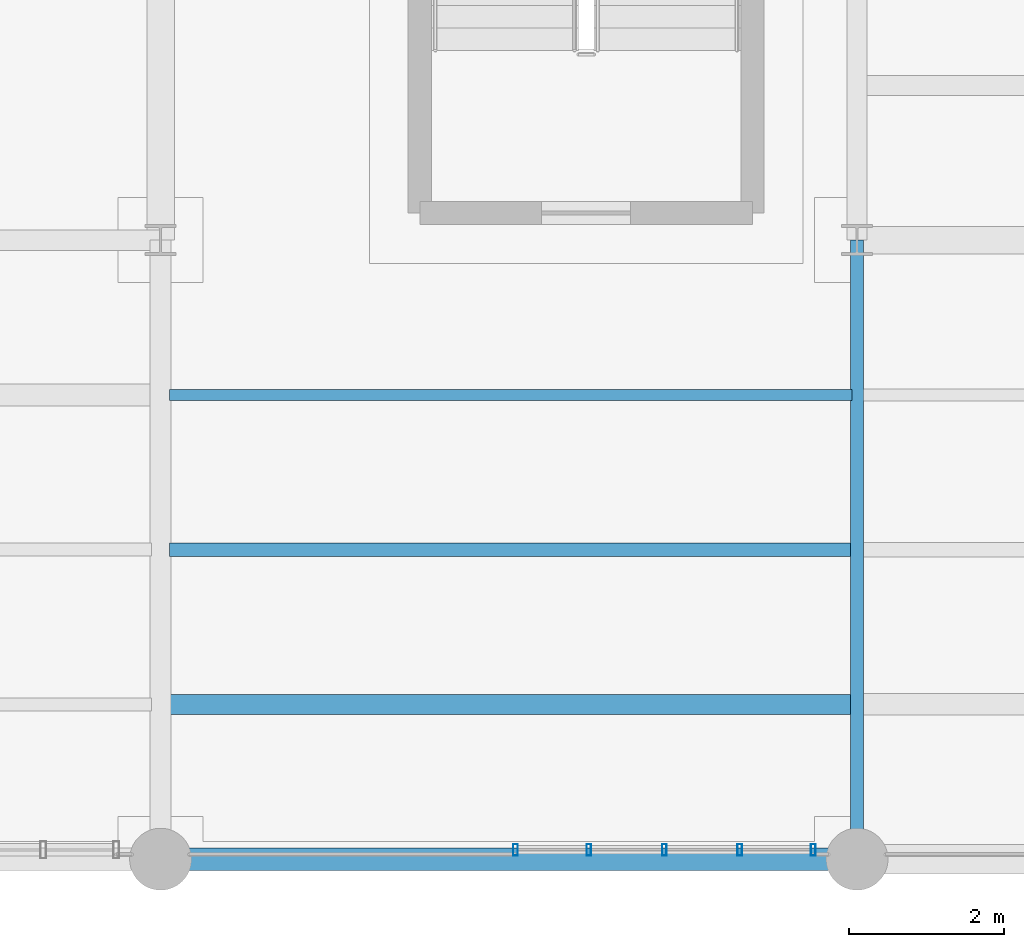
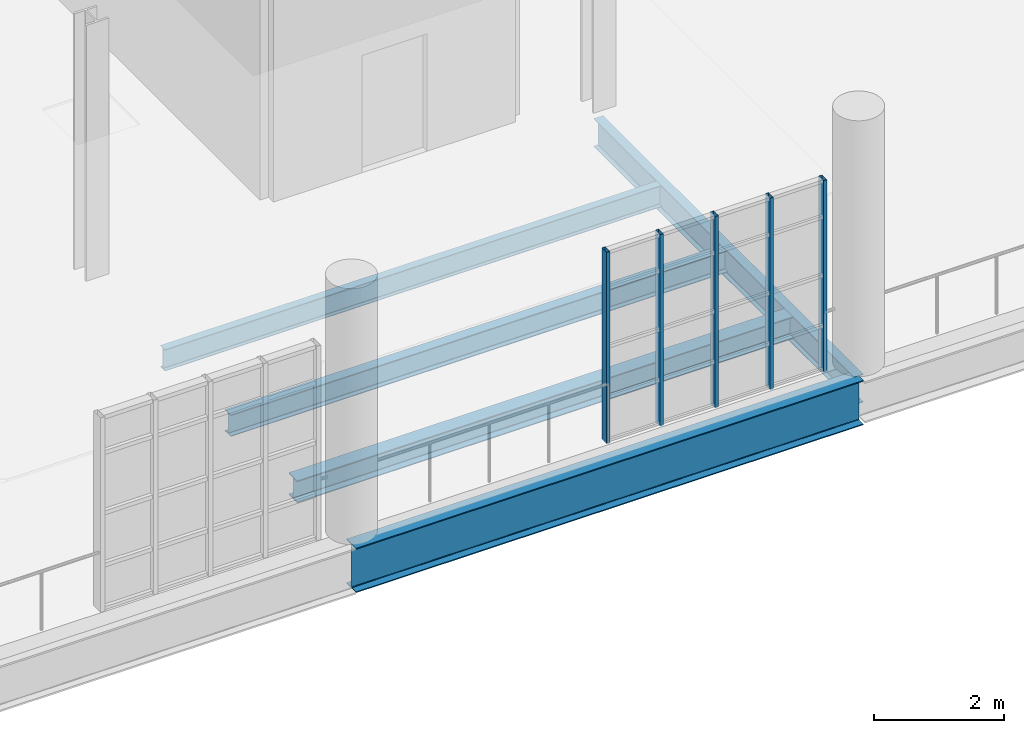
# One storey, part 25 of 122: 5 beams, 5 members, 1 element without a shape of its own.
"""IFC4 building model written with IfcOpenShell, lengths in metres."""

from ifc_helpers import new_model, si_unit, direction, frame, origin, origin_2d, place, context, subcontext, project, spatial, hollow_rectangle, i_section, extrude, material, layer, layer_set, material_profile, profile_set, type_object, element, aggregate, save


model = new_model("IFC4")

# Units and contexts
model_context = context("Model", 3, precision=1e-05, world=origin(), true_north=direction((0.0, 1.0)))
body_context = subcontext(model_context, "Body", "Model", "MODEL_VIEW")
ifc_project = project(units=[si_unit("LENGTHUNIT", "METRE"), si_unit("AREAUNIT", "SQUARE_METRE"), si_unit("VOLUMEUNIT", "CUBIC_METRE"), si_unit("PLANEANGLEUNIT", "RADIAN"), si_unit("MASSUNIT", "GRAM", prefix="KILO"), si_unit("THERMODYNAMICTEMPERATUREUNIT", "KELVIN"), si_unit("POWERUNIT", "WATT")], contexts=[model_context])

# Site, building, storey
site_placement = place(None, origin())
site = spatial("IfcSite", under=ifc_project, at=site_placement, CompositionType="ELEMENT")
building_placement = place(site_placement, origin())
building = spatial("IfcBuilding", under=site, at=building_placement, Name="Zelmaris Science Centre", CompositionType="ELEMENT")
storey_placement = place(building_placement, frame((0.0, 0.0, 10.800048828125)))
storey = spatial("IfcBuildingStorey", under=building, at=storey_placement, Name="L02", CompositionType="ELEMENT", Elevation=10.800048828125)

# Curtain wall, members
ifc_material_1 = material(Name="Anodised architectural aluminium 6063-T6", Category="aluminium")
ifc_layer = layer(ifc_material_1, 0.219970703125, Name="Anodised architectural aluminium 6063-T6")
ifc_layer_set = layer_set([ifc_layer], Name="Anodised architectural aluminium 6063-T6")
curtain_wall_type = type_object("IfcCurtainWallType", Name="Curtain Wall CW-04", PredefinedType="USERDEFINED", material=ifc_layer_set)
curtain_wall_placement = place(storey_placement, origin())
curtain_wall = element("IfcCurtainWall", 1, at=curtain_wall_placement, inside=storey, type_object=curtain_wall_type, Name="L02 Unitised curtain wall 240", ObjectType="GLAZED CURTAIN WALL", PredefinedType="USERDEFINED")
ifc_material_profile_1 = material_profile(ifc_material_1, hollow_rectangle(XDim=0.06005859375, YDim=0.14990234375, WallThickness=0.00341796875, at=origin_2d()), Name="ALU-MUL-60X150")
ifc_profile_set_1 = profile_set([ifc_material_profile_1], Name="Anodised architectural aluminium 6063-T6")
member_type = type_object("IfcMemberType", Name="ALU-MUL-60X150", PredefinedType="MULLION", material=ifc_profile_set_1)
member_1_placement = place(storey_placement, frame((125.43408203125, 8.1201171875, -0.01513671875), z_axis=(0.0, 0.0, 1.0), x_axis=(-1.0, 0.0, 0.0)))
member_1 = element("IfcMember", 2, at=member_1_placement, type_object=member_type, Name="CW-04 mullion 1", PredefinedType="MULLION", context=body_context, shape_type="SweptSolid", body=[
    extrude(hollow_rectangle(XDim=0.06005859375, YDim=0.14990234375, WallThickness=0.00341796875, at=origin_2d()), origin(), (0.0, 0.0, 1.0), 3.593017578125),
])
member_2_placement = place(storey_placement, frame((124.485107421875, 8.1201171875, -0.01513671875), z_axis=(0.0, 0.0, 1.0), x_axis=(-1.0, 0.0, 0.0)))
member_2 = element("IfcMember", 3, at=member_2_placement, type_object=member_type, Name="CW-04 mullion 2", PredefinedType="MULLION", context=body_context, shape_type="SweptSolid", body=[
    extrude(hollow_rectangle(XDim=0.06005859375, YDim=0.14990234375, WallThickness=0.00341796875, at=origin_2d()), origin(), (0.0, 0.0, 1.0), 3.593017578125),
])
member_3_placement = place(storey_placement, frame((123.510009765625, 8.1201171875, -0.01513671875), z_axis=(0.0, 0.0, 1.0), x_axis=(-1.0, 0.0, 0.0)))
member_3 = element("IfcMember", 4, at=member_3_placement, type_object=member_type, Name="CW-04 mullion 3", PredefinedType="MULLION", context=body_context, shape_type="SweptSolid", body=[
    extrude(hollow_rectangle(XDim=0.06005859375, YDim=0.14990234375, WallThickness=0.00341796875, at=origin_2d()), origin(), (0.0, 0.0, 1.0), 3.593017578125),
])
member_4_placement = place(storey_placement, frame((122.534912109375, 8.1201171875, -0.01513671875), z_axis=(0.0, 0.0, 1.0), x_axis=(-1.0, 0.0, 0.0)))
member_4 = element("IfcMember", 5, at=member_4_placement, type_object=member_type, Name="CW-04 mullion 4", PredefinedType="MULLION", context=body_context, shape_type="SweptSolid", body=[
    extrude(hollow_rectangle(XDim=0.06005859375, YDim=0.14990234375, WallThickness=0.00341796875, at=origin_2d()), origin(), (0.0, 0.0, 1.0), 3.593017578125),
])
member_5_placement = place(storey_placement, frame((121.5859375, 8.1201171875, -0.01513671875), z_axis=(0.0, 0.0, 1.0), x_axis=(-1.0, 0.0, 0.0)))
member_5 = element("IfcMember", 6, at=member_5_placement, type_object=member_type, Name="CW-04 mullion 5", PredefinedType="MULLION", context=body_context, shape_type="SweptSolid", body=[
    extrude(hollow_rectangle(XDim=0.06005859375, YDim=0.14990234375, WallThickness=0.00341796875, at=origin_2d()), origin(), (0.0, 0.0, 1.0), 3.593017578125),
])
aggregate(curtain_wall, [member_1, member_2, member_3, member_4, member_5])

# Beams
ifc_material_2 = material(Name="Steel ASTM A992 Grade 50", Category="steel")
ifc_material_profile_2 = material_profile(ifc_material_2, i_section(OverallWidth=0.2919921875, OverallDepth=0.8359375, WebThickness=0.013916015625, FlangeThickness=0.018798828125, FilletRadius=0.02001953125, at=origin_2d()), Name="W33X118")
ifc_profile_set_2 = profile_set([ifc_material_profile_2], Name="Steel ASTM A992 Grade 50")
beam_type_1 = type_object("IfcBeamType", Name="Beam G-30 W33X118", PredefinedType="BEAM", material=ifc_profile_set_2)
beam_1_placement = place(storey_placement, frame((117.0, 8.0, -0.677978515625), z_axis=(1.0, 0.0, 0.0), x_axis=(0.0, 1.0, 0.0)))
element("IfcBeam", 7, at=beam_1_placement, inside=storey, type_object=beam_type_1, Name="L02 East-west girder 546", PredefinedType="BEAM", context=body_context, shape_type="SweptSolid", body=[
    extrude(i_section(OverallWidth=0.2919921875, OverallDepth=0.8359375, WebThickness=0.013916015625, FlangeThickness=0.018798828125, FilletRadius=0.02001953125, at=origin_2d()), origin(), (0.0, 0.0, 1.0), 9.0),
])
ifc_material_profile_3 = material_profile(ifc_material_2, i_section(OverallWidth=0.1650390625, OverallDepth=0.52587890625, WebThickness=0.0087890625, FlangeThickness=0.011474609375, FilletRadius=0.013916015625, at=origin_2d()), Name="W21X44")
ifc_profile_set_3 = profile_set([ifc_material_profile_3], Name="Steel ASTM A992 Grade 50")
beam_type_2 = type_object("IfcBeamType", Name="Beam G-40 W21X44", PredefinedType="BEAM", material=ifc_profile_set_3)
beam_2_placement = place(storey_placement, frame((126.0, 8.0, -0.52294921875), z_axis=(0.0, 1.0, 0.0), x_axis=(-1.0, 0.0, 0.0)))
element("IfcBeam", 8, at=beam_2_placement, inside=storey, type_object=beam_type_2, Name="L02 North-south girder 525", PredefinedType="BEAM", context=body_context, shape_type="SweptSolid", body=[
    extrude(i_section(OverallWidth=0.1650390625, OverallDepth=0.52587890625, WebThickness=0.0087890625, FlangeThickness=0.011474609375, FilletRadius=0.013916015625, at=origin_2d()), origin(), (0.0, 0.0, 1.0), 8.0),
])
ifc_material_profile_4 = material_profile(ifc_material_2, i_section(OverallWidth=0.260009765625, OverallDepth=0.4140625, WebThickness=0.010009765625, FlangeThickness=0.016845703125, FilletRadius=0.011962890625, at=origin_2d()), Name="W16X67")
ifc_profile_set_4 = profile_set([ifc_material_profile_4], Name="Steel ASTM A992 Grade 50")
beam_type_3 = type_object("IfcBeamType", Name="Beam J-06 W16X67", PredefinedType="JOIST", material=ifc_profile_set_4)
beam_3_placement = place(storey_placement, frame((117.118408203125, 10.0, -0.467041015625), z_axis=(1.0, 0.0, 0.0), x_axis=(0.0, 1.0, 0.0)))
element("IfcBeam", 9, at=beam_3_placement, inside=storey, type_object=beam_type_3, Name="L02 Composite floor joist 275", PredefinedType="JOIST", context=body_context, shape_type="SweptSolid", body=[
    extrude(i_section(OverallWidth=0.260009765625, OverallDepth=0.4140625, WebThickness=0.010009765625, FlangeThickness=0.016845703125, FilletRadius=0.011962890625, at=origin_2d()), origin(), (0.0, 0.0, 1.0), 8.814208984375),
])
ifc_material_profile_5 = material_profile(ifc_material_2, i_section(OverallWidth=0.177978515625, OverallDepth=0.408935546875, WebThickness=0.0087890625, FlangeThickness=0.014404296875, FilletRadius=0.011962890625, at=origin_2d()), Name="W16X45")
ifc_profile_set_5 = profile_set([ifc_material_profile_5], Name="Steel ASTM A992 Grade 50")
beam_type_4 = type_object("IfcBeamType", Name="Beam J-07 W16X45", PredefinedType="JOIST", material=ifc_profile_set_5)
beam_4_placement = place(storey_placement, frame((117.118408203125, 12.0, -0.464599609375), z_axis=(1.0, 0.0, 0.0), x_axis=(0.0, 1.0, 0.0)))
element("IfcBeam", 10, at=beam_4_placement, inside=storey, type_object=beam_type_4, Name="L02 Composite floor joist 276", PredefinedType="JOIST", context=body_context, shape_type="SweptSolid", body=[
    extrude(i_section(OverallWidth=0.177978515625, OverallDepth=0.408935546875, WebThickness=0.0087890625, FlangeThickness=0.014404296875, FilletRadius=0.011962890625, at=origin_2d()), origin(), (0.0, 0.0, 1.0), 8.814208984375),
])
ifc_material_profile_6 = material_profile(ifc_material_2, i_section(OverallWidth=0.139892578125, OverallDepth=0.404052734375, WebThickness=0.007080078125, FlangeThickness=0.01123046875, FilletRadius=0.011962890625, at=origin_2d()), Name="W16X31")
ifc_profile_set_6 = profile_set([ifc_material_profile_6], Name="Steel ASTM A992 Grade 50")
beam_type_5 = type_object("IfcBeamType", Name="Beam J-08 W16X31", PredefinedType="JOIST", material=ifc_profile_set_6)
beam_5_placement = place(storey_placement, frame((117.118408203125, 14.0, -0.462158203125), z_axis=(1.0, 0.0, 0.0), x_axis=(0.0, 1.0, 0.0)))
element("IfcBeam", 11, at=beam_5_placement, inside=storey, type_object=beam_type_5, Name="L02 Composite floor joist 277", PredefinedType="JOIST", context=body_context, shape_type="SweptSolid", body=[
    extrude(i_section(OverallWidth=0.139892578125, OverallDepth=0.404052734375, WebThickness=0.007080078125, FlangeThickness=0.01123046875, FilletRadius=0.011962890625, at=origin_2d()), origin(), (0.0, 0.0, 1.0), 8.814208984375),
])

save(model, "model.ifc")
